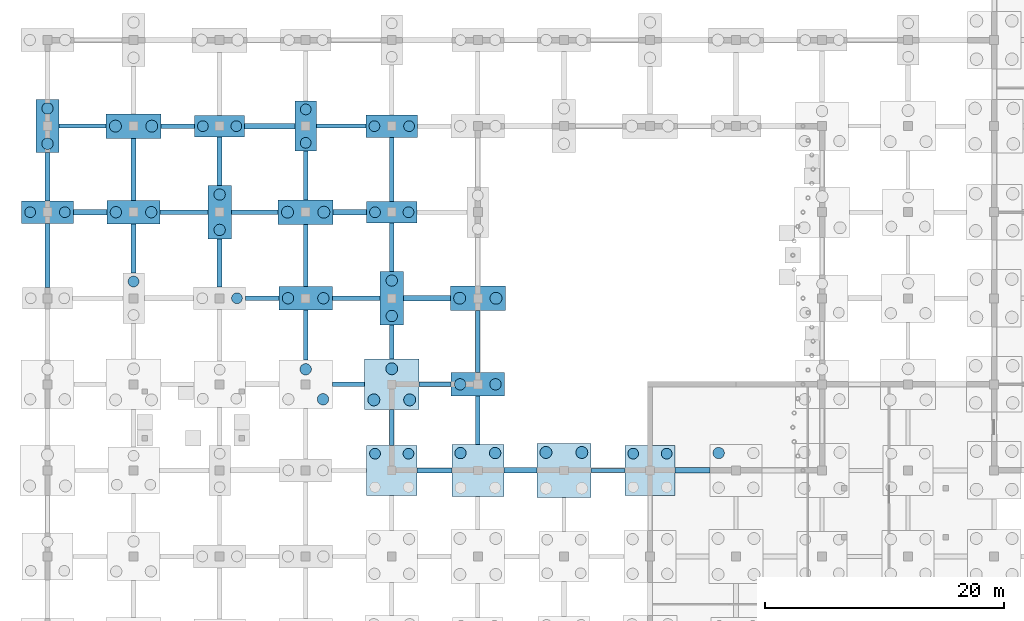
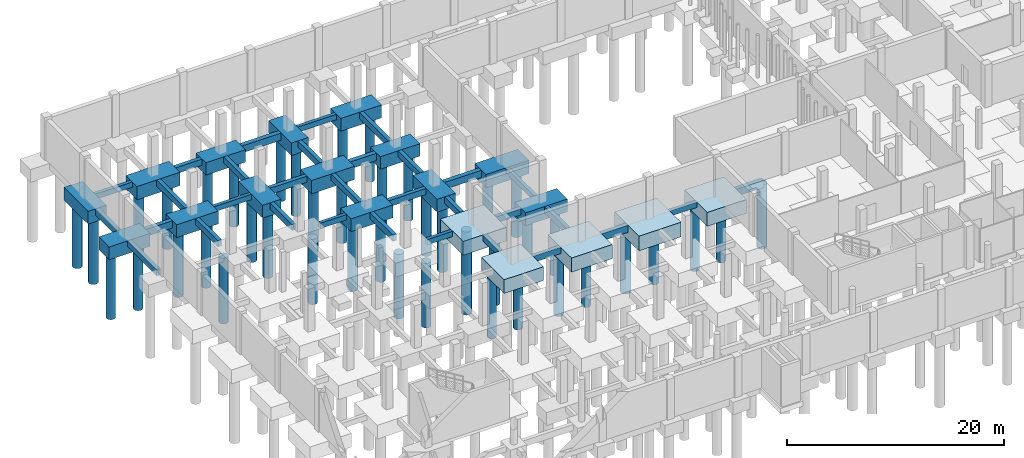
# One storey, part 4 of 35: 51 footings, 44 piles.
"""IFC4 building model written with IfcOpenShell, lengths in metres."""

from ifc_helpers import new_model, si_unit, direction, frame, origin, origin_2d, place, context, subcontext, project, spatial, rectangle, circle, extrude, material, material_profile, profile_set, type_object, element, save


model = new_model("IFC4")

# Units and contexts
model_context = context("Model", 3, precision=1e-05, world=origin(), true_north=direction((0.0, 1.0)))
body_context = subcontext(model_context, "Body", "Model", "MODEL_VIEW")
ifc_project = project(units=[si_unit("LENGTHUNIT", "METRE"), si_unit("AREAUNIT", "SQUARE_METRE"), si_unit("VOLUMEUNIT", "CUBIC_METRE"), si_unit("PLANEANGLEUNIT", "RADIAN"), si_unit("MASSUNIT", "GRAM", prefix="KILO"), si_unit("THERMODYNAMICTEMPERATUREUNIT", "KELVIN"), si_unit("POWERUNIT", "WATT")], contexts=[model_context])

# Site, building, storey
site_placement = place(None, origin())
site = spatial("IfcSite", under=ifc_project, at=site_placement, CompositionType="ELEMENT")
building_placement = place(site_placement, origin())
building = spatial("IfcBuilding", under=site, at=building_placement, Name="Kaldorven Railside Theatre", CompositionType="ELEMENT")
storey_placement = place(building_placement, frame((0.0, 0.0, -4.800048828125)))
storey = spatial("IfcBuildingStorey", under=building, at=storey_placement, Name="B1", CompositionType="ELEMENT", Elevation=-4.800048828125)

# Footings
ifc_material_1 = material(Name="Concrete C40/50", Category="concrete")
ifc_material_profile_1 = material_profile(ifc_material_1, rectangle(XDim=0.449951171875, YDim=0.800048828125, at=origin_2d()), Name="RC 450x800")
ifc_profile_set_1 = profile_set([ifc_material_profile_1], Name="Concrete C40/50")
footing_type_1 = type_object("IfcFootingType", Name="FTG-GB01", PredefinedType="FOOTING_BEAM", material=ifc_profile_set_1)
footing_1_placement = place(storey_placement, frame((46.175048828125, 40.800048828125, -0.39990234375), z_axis=(1.0, 0.0, 0.0), x_axis=(0.0, 1.0, 0.0)))
element("IfcFooting", 1, at=footing_1_placement, inside=storey, type_object=footing_type_1, Name="Foundation Tie Beam GB-159", PredefinedType="FOOTING_BEAM", context=body_context, shape_type="SweptSolid", body=[
    extrude(rectangle(XDim=0.449951171875, YDim=0.800048828125, at=origin_2d()), origin(), (0.0, 0.0, 1.0), 2.77490234375),
])
footing_2_placement = place(storey_placement, frame((60.5, 40.800048828125, -0.39990234375), z_axis=(1.0, 0.0, 0.0), x_axis=(0.0, 1.0, 0.0)))
element("IfcFooting", 2, at=footing_2_placement, inside=storey, type_object=footing_type_1, Name="Foundation Tie Beam GB-162", PredefinedType="FOOTING_BEAM", context=body_context, shape_type="SweptSolid", body=[
    extrude(rectangle(XDim=0.449951171875, YDim=0.800048828125, at=origin_2d()), origin(), (0.0, 0.0, 1.0), 2.925048828125),
])
footing_3_placement = place(storey_placement, frame((37.77490234375, 55.199951171875, -0.39990234375), z_axis=(1.0, 0.0, 0.0), x_axis=(0.0, 1.0, 0.0)))
element("IfcFooting", 3, at=footing_3_placement, inside=storey, type_object=footing_type_1, Name="Foundation Tie Beam GB-213", PredefinedType="FOOTING_BEAM", context=body_context, shape_type="SweptSolid", body=[
    extrude(rectangle(XDim=0.449951171875, YDim=0.800048828125, at=origin_2d()), origin(), (0.0, 0.0, 1.0), 3.925048828125),
])
for number, where, z_axis, x_axis, name in (
    (4, (10.175048828125, 62.39990234375, -0.39990234375), (1.0, 0.0, 0.0), (0.0, 1.0, 0.0), "Foundation Tie Beam GB-231"),
    (5, (31.89990234375, 62.39990234375, -0.39990234375), (1.0, 0.0, 0.0), (0.0, 1.0, 0.0), "Foundation Tie Beam GB-237"),
):
    element("IfcFooting", number, at=place(storey_placement, frame(where, z_axis=z_axis, x_axis=x_axis)), inside=storey, type_object=footing_type_1, Name=name, PredefinedType="FOOTING_BEAM", context=body_context, shape_type="SweptSolid", body=[
        extrude(rectangle(XDim=0.449951171875, YDim=0.800048828125, at=origin_2d()), origin(), (0.0, 0.0, 1.0), 2.800048828125),
    ])
footing_4_placement = place(storey_placement, frame((24.5, 69.60009765625, -0.39990234375), z_axis=(1.0, 0.0, 0.0), x_axis=(0.0, 1.0, 0.0)))
element("IfcFooting", 6, at=footing_4_placement, inside=storey, type_object=footing_type_1, Name="Foundation Tie Beam GB-261", PredefinedType="FOOTING_BEAM", context=body_context, shape_type="SweptSolid", body=[
    extrude(rectangle(XDim=0.449951171875, YDim=0.800048828125, at=origin_2d()), origin(), (0.0, 0.0, 1.0), 4.199951171875),
])
ifc_material_profile_2 = material_profile(ifc_material_1, rectangle(XDim=0.39990234375, YDim=0.699951171875, at=origin_2d()), Name="RC 400x700")
ifc_profile_set_2 = profile_set([ifc_material_profile_2], Name="Concrete C40/50")
footing_type_2 = type_object("IfcFootingType", Name="FTG-GB02", PredefinedType="FOOTING_BEAM", material=ifc_profile_set_2)
footing_5_placement = place(storey_placement, frame((38.89990234375, 40.800048828125, -0.349853515625), z_axis=(1.0, 0.0, 0.0), x_axis=(0.0, 1.0, 0.0)))
element("IfcFooting", 7, at=footing_5_placement, inside=storey, type_object=footing_type_2, Name="Foundation Tie Beam GB-157", PredefinedType="FOOTING_BEAM", context=body_context, shape_type="SweptSolid", body=[
    extrude(rectangle(XDim=0.39990234375, YDim=0.699951171875, at=origin_2d()), origin(), (0.0, 0.0, 1.0), 2.925048828125),
])
footing_6_placement = place(storey_placement, frame((36.800048828125, 42.89990234375, -0.349853515625), z_axis=(0.0, 1.0, 0.0), x_axis=(-1.0, 0.0, 0.0)))
element("IfcFooting", 8, at=footing_6_placement, inside=storey, type_object=footing_type_2, Name="Foundation Tie Beam GB-158", PredefinedType="FOOTING_BEAM", context=body_context, shape_type="SweptSolid", body=[
    extrude(rectangle(XDim=0.39990234375, YDim=0.699951171875, at=origin_2d()), origin(), (0.0, 0.0, 1.0), 3.0),
])
footing_7_placement = place(storey_placement, frame((44.0, 42.97509765625, -0.349853515625), z_axis=(0.0, 1.0, 0.0), x_axis=(-1.0, 0.0, 0.0)))
element("IfcFooting", 9, at=footing_7_placement, inside=storey, type_object=footing_type_2, Name="Foundation Tie Beam GB-160", PredefinedType="FOOTING_BEAM", context=body_context, shape_type="SweptSolid", body=[
    extrude(rectangle(XDim=0.39990234375, YDim=0.699951171875, at=origin_2d()), origin(), (0.0, 0.0, 1.0), 4.0498046875),
])
footing_8_placement = place(storey_placement, frame((29.60009765625, 50.02490234375, -0.349853515625), z_axis=(0.0, 1.0, 0.0), x_axis=(-1.0, 0.0, 0.0)))
element("IfcFooting", 10, at=footing_8_placement, inside=storey, type_object=footing_type_2, Name="Foundation Tie Beam GB-186", PredefinedType="FOOTING_BEAM", context=body_context, shape_type="SweptSolid", body=[
    extrude(rectangle(XDim=0.39990234375, YDim=0.699951171875, at=origin_2d()), origin(), (0.0, 0.0, 1.0), 4.2001953125),
])
footing_9_placement = place(storey_placement, frame((39.10009765625, 48.0, -0.349853515625), z_axis=(1.0, 0.0, 0.0), x_axis=(0.0, 1.0, 0.0)))
element("IfcFooting", 11, at=footing_9_placement, inside=storey, type_object=footing_type_2, Name="Foundation Tie Beam GB-187", PredefinedType="FOOTING_BEAM", context=body_context, shape_type="SweptSolid", body=[
    extrude(rectangle(XDim=0.39990234375, YDim=0.699951171875, at=origin_2d()), origin(), (0.0, 0.0, 1.0), 2.6748046875),
])
footing_10_placement = place(storey_placement, frame((36.800048828125, 50.10009765625, -0.349853515625), z_axis=(0.0, 1.0, 0.0), x_axis=(-1.0, 0.0, 0.0)))
element("IfcFooting", 12, at=footing_10_placement, inside=storey, type_object=footing_type_2, Name="Foundation Tie Beam GB-188", PredefinedType="FOOTING_BEAM", context=body_context, shape_type="SweptSolid", body=[
    extrude(rectangle(XDim=0.39990234375, YDim=0.699951171875, at=origin_2d()), origin(), (0.0, 0.0, 1.0), 2.875),
])
footing_11_placement = place(storey_placement, frame((8.0, 56.10009765625, -0.349853515625), z_axis=(0.0, 1.0, 0.0), x_axis=(-1.0, 0.0, 0.0)))
element("IfcFooting", 13, at=footing_11_placement, inside=storey, type_object=footing_type_2, Name="Foundation Tie Beam GB-206", PredefinedType="FOOTING_BEAM", context=body_context, shape_type="SweptSolid", body=[
    extrude(rectangle(XDim=0.39990234375, YDim=0.699951171875, at=origin_2d()), origin(), (0.0, 0.0, 1.0), 5.349853515625),
])
footing_12_placement = place(storey_placement, frame((15.199951171875, 57.300048828125, -0.349853515625), z_axis=(0.0, 1.0, 0.0), x_axis=(-1.0, 0.0, 0.0)))
element("IfcFooting", 14, at=footing_12_placement, inside=storey, type_object=footing_type_2, Name="Foundation Tie Beam GB-208", PredefinedType="FOOTING_BEAM", context=body_context, shape_type="SweptSolid", body=[
    extrude(rectangle(XDim=0.39990234375, YDim=0.699951171875, at=origin_2d()), origin(), (0.0, 0.0, 1.0), 4.125),
])
footing_13_placement = place(storey_placement, frame((22.39990234375, 56.14990234375, -0.349853515625), z_axis=(0.0, 1.0, 0.0), x_axis=(-1.0, 0.0, 0.0)))
element("IfcFooting", 15, at=footing_13_placement, inside=storey, type_object=footing_type_2, Name="Foundation Tie Beam GB-210", PredefinedType="FOOTING_BEAM", context=body_context, shape_type="SweptSolid", body=[
    extrude(rectangle(XDim=0.39990234375, YDim=0.699951171875, at=origin_2d()), origin(), (0.0, 0.0, 1.0), 4.025146484375),
])
footing_14_placement = place(storey_placement, frame((31.824951171875, 55.199951171875, -0.349853515625), z_axis=(1.0, 0.0, 0.0), x_axis=(0.0, 1.0, 0.0)))
element("IfcFooting", 16, at=footing_14_placement, inside=storey, type_object=footing_type_2, Name="Foundation Tie Beam GB-211", PredefinedType="FOOTING_BEAM", context=body_context, shape_type="SweptSolid", body=[
    extrude(rectangle(XDim=0.39990234375, YDim=0.699951171875, at=origin_2d()), origin(), (0.0, 0.0, 1.0), 4.0),
])
footing_15_placement = place(storey_placement, frame((29.60009765625, 56.175048828125, -0.349853515625), z_axis=(0.0, 1.0, 0.0), x_axis=(-1.0, 0.0, 0.0)))
element("IfcFooting", 17, at=footing_15_placement, inside=storey, type_object=footing_type_2, Name="Foundation Tie Beam GB-212", PredefinedType="FOOTING_BEAM", context=body_context, shape_type="SweptSolid", body=[
    extrude(rectangle(XDim=0.39990234375, YDim=0.699951171875, at=origin_2d()), origin(), (0.0, 0.0, 1.0), 5.199951171875),
])
footing_16_placement = place(storey_placement, frame((36.800048828125, 57.425048828125, -0.349853515625), z_axis=(0.0, 1.0, 0.0), x_axis=(-1.0, 0.0, 0.0)))
element("IfcFooting", 18, at=footing_16_placement, inside=storey, type_object=footing_type_2, Name="Foundation Tie Beam GB-214", PredefinedType="FOOTING_BEAM", context=body_context, shape_type="SweptSolid", body=[
    extrude(rectangle(XDim=0.39990234375, YDim=0.699951171875, at=origin_2d()), origin(), (0.0, 0.0, 1.0), 4.074951171875),
])
footing_17_placement = place(storey_placement, frame((8.0, 63.35009765625, -0.349853515625), z_axis=(0.0, 1.0, 0.0), x_axis=(-1.0, 0.0, 0.0)))
element("IfcFooting", 19, at=footing_17_placement, inside=storey, type_object=footing_type_2, Name="Foundation Tie Beam GB-232", PredefinedType="FOOTING_BEAM", context=body_context, shape_type="SweptSolid", body=[
    extrude(rectangle(XDim=0.39990234375, YDim=0.699951171875, at=origin_2d()), origin(), (0.0, 0.0, 1.0), 4.02490234375),
])
footing_18_placement = place(storey_placement, frame((15.199951171875, 63.375, -0.349853515625), z_axis=(0.0, 1.0, 0.0), x_axis=(-1.0, 0.0, 0.0)))
element("IfcFooting", 20, at=footing_18_placement, inside=storey, type_object=footing_type_2, Name="Foundation Tie Beam GB-234", PredefinedType="FOOTING_BEAM", context=body_context, shape_type="SweptSolid", body=[
    extrude(rectangle(XDim=0.39990234375, YDim=0.699951171875, at=origin_2d()), origin(), (0.0, 0.0, 1.0), 5.199951171875),
])
footing_19_placement = place(storey_placement, frame((23.375, 62.39990234375, -0.349853515625), z_axis=(1.0, 0.0, 0.0), x_axis=(0.0, 1.0, 0.0)))
element("IfcFooting", 21, at=footing_19_placement, inside=storey, type_object=footing_type_2, Name="Foundation Tie Beam GB-235", PredefinedType="FOOTING_BEAM", context=body_context, shape_type="SweptSolid", body=[
    extrude(rectangle(XDim=0.39990234375, YDim=0.699951171875, at=origin_2d()), origin(), (0.0, 0.0, 1.0), 3.925048828125),
])
for number, where, z_axis, x_axis, name in (
    (22, (22.39990234375, 64.625, -0.349853515625), (0.0, 1.0, 0.0), (-1.0, 0.0, 0.0), "Foundation Tie Beam GB-236"),
    (23, (29.60009765625, 63.425048828125, -0.349853515625), (0.0, 1.0, 0.0), (-1.0, 0.0, 0.0), "Foundation Tie Beam GB-238"),
):
    element("IfcFooting", number, at=place(storey_placement, frame(where, z_axis=z_axis, x_axis=x_axis)), inside=storey, type_object=footing_type_2, Name=name, PredefinedType="FOOTING_BEAM", context=body_context, shape_type="SweptSolid", body=[
        extrude(rectangle(XDim=0.39990234375, YDim=0.699951171875, at=origin_2d()), origin(), (0.0, 0.0, 1.0), 4.074951171875),
    ])
footing_20_placement = place(storey_placement, frame((36.800048828125, 63.300048828125, -0.349853515625), z_axis=(0.0, 1.0, 0.0), x_axis=(-1.0, 0.0, 0.0)))
element("IfcFooting", 24, at=footing_20_placement, inside=storey, type_object=footing_type_2, Name="Foundation Tie Beam GB-240", PredefinedType="FOOTING_BEAM", context=body_context, shape_type="SweptSolid", body=[
    extrude(rectangle(XDim=0.39990234375, YDim=0.699951171875, at=origin_2d()), origin(), (0.0, 0.0, 1.0), 5.349853515625),
])
footing_21_placement = place(storey_placement, frame((17.5, 69.60009765625, -0.349853515625), z_axis=(1.0, 0.0, 0.0), x_axis=(0.0, 1.0, 0.0)))
element("IfcFooting", 25, at=footing_21_placement, inside=storey, type_object=footing_type_2, Name="Foundation Tie Beam GB-259", PredefinedType="FOOTING_BEAM", context=body_context, shape_type="SweptSolid", body=[
    extrude(rectangle(XDim=0.39990234375, YDim=0.699951171875, at=origin_2d()), origin(), (0.0, 0.0, 1.0), 2.800048828125),
])
ifc_material_profile_3 = material_profile(ifc_material_1, rectangle(XDim=0.35009765625, YDim=0.60009765625, at=origin_2d()), Name="RC 350x600")
ifc_profile_set_3 = profile_set([ifc_material_profile_3], Name="Concrete C40/50")
footing_type_3 = type_object("IfcFootingType", Name="FTG-GB03", PredefinedType="FOOTING_BEAM", material=ifc_profile_set_3)
footing_22_placement = place(storey_placement, frame((53.449951171875, 40.800048828125, -0.300048828125), z_axis=(1.0, 0.0, 0.0), x_axis=(0.0, 1.0, 0.0)))
element("IfcFooting", 26, at=footing_22_placement, inside=storey, type_object=footing_type_3, Name="Foundation Tie Beam GB-161", PredefinedType="FOOTING_BEAM", context=body_context, shape_type="SweptSolid", body=[
    extrude(rectangle(XDim=0.35009765625, YDim=0.60009765625, at=origin_2d()), origin(), (0.0, 0.0, 1.0), 2.85009765625),
])
footing_23_placement = place(storey_placement, frame((31.824951171875, 48.0, -0.300048828125), z_axis=(1.0, 0.0, 0.0), x_axis=(0.0, 1.0, 0.0)))
element("IfcFooting", 27, at=footing_23_placement, inside=storey, type_object=footing_type_3, Name="Foundation Tie Beam GB-185", PredefinedType="FOOTING_BEAM", context=body_context, shape_type="SweptSolid", body=[
    extrude(rectangle(XDim=0.35009765625, YDim=0.60009765625, at=origin_2d()), origin(), (0.0, 0.0, 1.0), 2.675048828125),
])
footing_24_placement = place(storey_placement, frame((44.0, 48.97509765625, -0.300048828125), z_axis=(0.0, 1.0, 0.0), x_axis=(-1.0, 0.0, 0.0)))
element("IfcFooting", 28, at=footing_24_placement, inside=storey, type_object=footing_type_3, Name="Foundation Tie Beam GB-189", PredefinedType="FOOTING_BEAM", context=body_context, shape_type="SweptSolid", body=[
    extrude(rectangle(XDim=0.35009765625, YDim=0.60009765625, at=origin_2d()), origin(), (0.0, 0.0, 1.0), 5.199951171875),
])
footing_25_placement = place(storey_placement, frame((24.574951171875, 55.199951171875, -0.300048828125), z_axis=(1.0, 0.0, 0.0), x_axis=(0.0, 1.0, 0.0)))
element("IfcFooting", 29, at=footing_25_placement, inside=storey, type_object=footing_type_3, Name="Foundation Tie Beam GB-209", PredefinedType="FOOTING_BEAM", context=body_context, shape_type="SweptSolid", body=[
    extrude(rectangle(XDim=0.35009765625, YDim=0.60009765625, at=origin_2d()), origin(), (0.0, 0.0, 1.0), 2.800048828125),
])
footing_26_placement = place(storey_placement, frame((17.425048828125, 62.39990234375, -0.300048828125), z_axis=(1.0, 0.0, 0.0), x_axis=(0.0, 1.0, 0.0)))
element("IfcFooting", 30, at=footing_26_placement, inside=storey, type_object=footing_type_3, Name="Foundation Tie Beam GB-233", PredefinedType="FOOTING_BEAM", context=body_context, shape_type="SweptSolid", body=[
    extrude(rectangle(XDim=0.35009765625, YDim=0.60009765625, at=origin_2d()), origin(), (0.0, 0.0, 1.0), 4.0),
])
footing_27_placement = place(storey_placement, frame((8.97509765625, 69.60009765625, -0.300048828125), z_axis=(1.0, 0.0, 0.0), x_axis=(0.0, 1.0, 0.0)))
element("IfcFooting", 31, at=footing_27_placement, inside=storey, type_object=footing_type_3, Name="Foundation Tie Beam GB-257", PredefinedType="FOOTING_BEAM", context=body_context, shape_type="SweptSolid", body=[
    extrude(rectangle(XDim=0.35009765625, YDim=0.60009765625, at=origin_2d()), origin(), (0.0, 0.0, 1.0), 3.9248046875),
])
footing_28_placement = place(storey_placement, frame((30.5, 69.60009765625, -0.300048828125), z_axis=(1.0, 0.0, 0.0), x_axis=(0.0, 1.0, 0.0)))
element("IfcFooting", 32, at=footing_28_placement, inside=storey, type_object=footing_type_3, Name="Foundation Tie Beam GB-263", PredefinedType="FOOTING_BEAM", context=body_context, shape_type="SweptSolid", body=[
    extrude(rectangle(XDim=0.35009765625, YDim=0.60009765625, at=origin_2d()), origin(), (0.0, 0.0, 1.0), 4.125),
])
footing_type_4 = type_object("IfcFootingType", Name="FTG-PC03", PredefinedType="PILE_CAP", material=ifc_material_1)
for number, where, z_axis, x_axis, name in (
    (33, (36.800048828125, 62.39990234375, -1.39990234375), (0.0, 0.0, 1.0), (1.0, 0.0, 0.0), "Reinforced Concrete Pile Cap FC-132"),
    (34, (22.39990234375, 69.60009765625, -1.39990234375), (0.0, 0.0, 1.0), (1.0, 0.0, 0.0), "Reinforced Concrete Pile Cap FC-144"),
):
    element("IfcFooting", number, at=place(storey_placement, frame(where, z_axis=z_axis, x_axis=x_axis)), inside=storey, type_object=footing_type_4, Name=name, PredefinedType="PILE_CAP", context=body_context, shape_type="SweptSolid", body=[
        extrude(rectangle(XDim=4.199951171875, YDim=1.800048828125, at=origin_2d()), origin(), (0.0, 0.0, 1.0), 1.39990234375),
    ])
footing_type_5 = type_object("IfcFootingType", Name="FTG-PC04", PredefinedType="PILE_CAP", material=ifc_material_1)
footing_29_placement = place(storey_placement, frame((29.60009765625, 69.60009765625, -1.39990234375), z_axis=(0.0, 0.0, 1.0), x_axis=(1.0, 0.0, 0.0)))
element("IfcFooting", 35, at=footing_29_placement, inside=storey, type_object=footing_type_5, Name="Reinforced Concrete Pile Cap FC-145", PredefinedType="PILE_CAP", context=body_context, shape_type="SweptSolid", body=[
    extrude(rectangle(XDim=1.800048828125, YDim=4.199951171875, at=origin_2d()), origin(), (0.0, 0.0, 1.0), 1.39990234375),
])
footing_type_6 = type_object("IfcFootingType", Name="FTG-PC05", PredefinedType="PILE_CAP", material=ifc_material_1)
for number, where, z_axis, x_axis, name in (
    (36, (8.0, 62.39990234375, -1.44970703125), (0.0, 0.0, 1.0), (1.0, 0.0, 0.0), "Reinforced Concrete Pile Cap FC-128"),
    (37, (36.800048828125, 69.60009765625, -1.44970703125), (0.0, 0.0, 1.0), (1.0, 0.0, 0.0), "Reinforced Concrete Pile Cap FC-146"),
):
    element("IfcFooting", number, at=place(storey_placement, frame(where, z_axis=z_axis, x_axis=x_axis)), inside=storey, type_object=footing_type_6, Name=name, PredefinedType="PILE_CAP", context=body_context, shape_type="SweptSolid", body=[
        extrude(rectangle(XDim=4.35009765625, YDim=1.89990234375, at=origin_2d()), origin(), (0.0, 0.0, 1.0), 1.449951171875),
    ])
footing_type_7 = type_object("IfcFootingType", Name="FTG-PC06", PredefinedType="PILE_CAP", material=ifc_material_1)
for number, where, z_axis, x_axis, name in (
    (38, (44.0, 48.0, -1.44970703125), (0.0, 0.0, 1.0), (1.0, 0.0, 0.0), "Reinforced Concrete Pile Cap FC-105"),
    (39, (29.60009765625, 55.199951171875, -1.44970703125), (0.0, 0.0, 1.0), (1.0, 0.0, 0.0), "Reinforced Concrete Pile Cap FC-117"),
    (40, (15.199951171875, 62.39990234375, -1.44970703125), (0.0, 0.0, 1.0), (1.0, 0.0, 0.0), "Reinforced Concrete Pile Cap FC-129"),
):
    element("IfcFooting", number, at=place(storey_placement, frame(where, z_axis=z_axis, x_axis=x_axis)), inside=storey, type_object=footing_type_7, Name=name, PredefinedType="PILE_CAP", context=body_context, shape_type="SweptSolid", body=[
        extrude(rectangle(XDim=4.449951171875, YDim=1.949951171875, at=origin_2d()), origin(), (0.0, 0.0, 1.0), 1.449951171875),
    ])
footing_type_8 = type_object("IfcFootingType", Name="FTG-PC07", PredefinedType="PILE_CAP", material=ifc_material_1)
for number, where, z_axis, x_axis, name in (
    (41, (36.800048828125, 55.199951171875, -1.44970703125), (0.0, 0.0, 1.0), (1.0, 0.0, 0.0), "Reinforced Concrete Pile Cap FC-118"),
    (42, (22.39990234375, 62.39990234375, -1.44970703125), (0.0, 0.0, 1.0), (1.0, 0.0, 0.0), "Reinforced Concrete Pile Cap FC-130"),
    (43, (8.0, 69.60009765625, -1.44970703125), (0.0, 0.0, 1.0), (1.0, 0.0, 0.0), "Reinforced Concrete Pile Cap FC-142"),
):
    element("IfcFooting", number, at=place(storey_placement, frame(where, z_axis=z_axis, x_axis=x_axis)), inside=storey, type_object=footing_type_8, Name=name, PredefinedType="PILE_CAP", context=body_context, shape_type="SweptSolid", body=[
        extrude(rectangle(XDim=1.949951171875, YDim=4.449951171875, at=origin_2d()), origin(), (0.0, 0.0, 1.0), 1.449951171875),
    ])
footing_type_9 = type_object("IfcFootingType", Name="FTG-PC08", PredefinedType="PILE_CAP", material=ifc_material_1)
for number, where, z_axis, x_axis, name in (
    (44, (44.0, 55.199951171875, -1.5), (0.0, 0.0, 1.0), (1.0, 0.0, 0.0), "Reinforced Concrete Pile Cap FC-119"),
    (45, (29.60009765625, 62.39990234375, -1.5), (0.0, 0.0, 1.0), (1.0, 0.0, 0.0), "Reinforced Concrete Pile Cap FC-131"),
    (46, (15.199951171875, 69.60009765625, -1.5), (0.0, 0.0, 1.0), (1.0, 0.0, 0.0), "Reinforced Concrete Pile Cap FC-143"),
):
    element("IfcFooting", number, at=place(storey_placement, frame(where, z_axis=z_axis, x_axis=x_axis)), inside=storey, type_object=footing_type_9, Name=name, PredefinedType="PILE_CAP", context=body_context, shape_type="SweptSolid", body=[
        extrude(rectangle(XDim=4.60009765625, YDim=2.050048828125, at=origin_2d()), origin(), (0.0, 0.0, 1.0), 1.5),
    ])
footing_type_10 = type_object("IfcFootingType", Name="FTG-PC11", PredefinedType="PILE_CAP", material=ifc_material_1)
footing_30_placement = place(storey_placement, frame((36.800048828125, 48.0, -1.5498046875), z_axis=(0.0, 0.0, 1.0), x_axis=(1.0, 0.0, 0.0)))
element("IfcFooting", 47, at=footing_30_placement, inside=storey, type_object=footing_type_10, Name="Reinforced Concrete Pile Cap FC-104", PredefinedType="PILE_CAP", context=body_context, shape_type="SweptSolid", body=[
    extrude(rectangle(XDim=4.60009765625, YDim=4.199951171875, at=origin_2d()), origin(), (0.0, 0.0, 1.0), 1.550048828125),
])
footing_type_11 = type_object("IfcFootingType", Name="FTG-PC12", PredefinedType="PILE_CAP", material=ifc_material_1)
for number, where, z_axis, x_axis, name in (
    (48, (36.800048828125, 40.800048828125, -1.5498046875), (0.0, 0.0, 1.0), (1.0, 0.0, 0.0), "Reinforced Concrete Pile Cap FC-087"),
    (49, (58.39990234375, 40.800048828125, -1.5498046875), (0.0, 0.0, 1.0), (1.0, 0.0, 0.0), "Reinforced Concrete Pile Cap FC-090"),
):
    element("IfcFooting", number, at=place(storey_placement, frame(where, z_axis=z_axis, x_axis=x_axis)), inside=storey, type_object=footing_type_11, Name=name, PredefinedType="PILE_CAP", context=body_context, shape_type="SweptSolid", body=[
        extrude(rectangle(XDim=4.199951171875, YDim=4.199951171875, at=origin_2d()), origin(), (0.0, 0.0, 1.0), 1.550048828125),
    ])
footing_type_12 = type_object("IfcFootingType", Name="FTG-PC13", PredefinedType="PILE_CAP", material=ifc_material_1)
footing_31_placement = place(storey_placement, frame((44.0, 40.800048828125, -1.60009765625), z_axis=(0.0, 0.0, 1.0), x_axis=(1.0, 0.0, 0.0)))
element("IfcFooting", 50, at=footing_31_placement, inside=storey, type_object=footing_type_12, Name="Reinforced Concrete Pile Cap FC-088", PredefinedType="PILE_CAP", context=body_context, shape_type="SweptSolid", body=[
    extrude(rectangle(XDim=4.35009765625, YDim=4.35009765625, at=origin_2d()), origin(), (0.0, 0.0, 1.0), 1.60009765625),
])
footing_type_13 = type_object("IfcFootingType", Name="FTG-PC14", PredefinedType="PILE_CAP", material=ifc_material_1)
footing_32_placement = place(storey_placement, frame((51.199951171875, 40.800048828125, -1.64990234375), z_axis=(0.0, 0.0, 1.0), x_axis=(1.0, 0.0, 0.0)))
element("IfcFooting", 51, at=footing_32_placement, inside=storey, type_object=footing_type_13, Name="Reinforced Concrete Pile Cap FC-089", PredefinedType="PILE_CAP", context=body_context, shape_type="SweptSolid", body=[
    extrude(rectangle(XDim=4.5, YDim=4.5, at=origin_2d()), origin(), (0.0, 0.0, 1.0), 1.64990234375),
])

# Piles
ifc_material_2 = material(Name="Concrete C35/45", Category="concrete")
ifc_material_profile_4 = material_profile(ifc_material_2, circle(Radius=0.5, at=origin_2d()), Name="BP D1000")
ifc_profile_set_4 = profile_set([ifc_material_profile_4], Name="Concrete C35/45")
pile_type_1 = type_object("IfcPileType", Name="PIL-D1000", PredefinedType="BORED", material=ifc_profile_set_4)
for number, where, z_axis, x_axis, name in (
    (52, (49.699951171875, 42.300048828125, -1.550048828125), (0.0, 0.0, -1.0), (1.0, 0.0, 0.0), "Bored Bedrock Socket Pile BP-051-040-3"),
    (53, (52.699951171875, 42.300048828125, -1.550048828125), (0.0, 0.0, -1.0), (1.0, 0.0, 0.0), "Bored Bedrock Socket Pile BP-051-040-4"),
):
    element("IfcPile", number, at=place(storey_placement, frame(where, z_axis=z_axis, x_axis=x_axis)), inside=storey, type_object=pile_type_1, Name=name, PredefinedType="BORED", context=body_context, shape_type="SweptSolid", body=[
        extrude(circle(Radius=0.5, at=origin_2d()), origin(), (0.0, 0.0, 1.0), 7.14990234375),
    ])
for number, where, z_axis, x_axis, name in (
    (54, (35.300048828125, 46.699951171875, -1.449951171875), (0.0, 0.0, -1.0), (1.0, 0.0, 0.0), "Bored Bedrock Socket Pile BP-036-048-1"),
    (55, (38.300048828125, 46.699951171875, -1.449951171875), (0.0, 0.0, -1.0), (1.0, 0.0, 0.0), "Bored Bedrock Socket Pile BP-036-048-2"),
    (56, (36.800048828125, 49.300048828125, -1.449951171875), (0.0, 0.0, -1.0), (1.0, 0.0, 0.0), "Bored Bedrock Socket Pile BP-036-048-3"),
):
    element("IfcPile", number, at=place(storey_placement, frame(where, z_axis=z_axis, x_axis=x_axis)), inside=storey, type_object=pile_type_1, Name=name, PredefinedType="BORED", context=body_context, shape_type="SweptSolid", body=[
        extrude(circle(Radius=0.5, at=origin_2d()), origin(), (0.0, 0.0, 1.0), 7.25),
    ])
for number, where, z_axis, x_axis, name in (
    (57, (42.47998046875, 55.199951171875, -1.39990234375), (0.0, 0.0, -1.0), (1.0, 0.0, 0.0), "Bored Bedrock Socket Pile BP-044-055-1"),
    (58, (45.52001953125, 55.199951171875, -1.39990234375), (0.0, 0.0, -1.0), (1.0, 0.0, 0.0), "Bored Bedrock Socket Pile BP-044-055-2"),
    (59, (28.080078125, 62.39990234375, -1.39990234375), (0.0, 0.0, -1.0), (1.0, 0.0, 0.0), "Bored Bedrock Socket Pile BP-029-062-1"),
    (60, (31.1201171875, 62.39990234375, -1.39990234375), (0.0, 0.0, -1.0), (1.0, 0.0, 0.0), "Bored Bedrock Socket Pile BP-029-062-2"),
    (61, (13.679931640625, 69.60009765625, -1.39990234375), (0.0, 0.0, -1.0), (1.0, 0.0, 0.0), "Bored Bedrock Socket Pile BP-015-069-1"),
    (62, (16.719970703125, 69.60009765625, -1.39990234375), (0.0, 0.0, -1.0), (1.0, 0.0, 0.0), "Bored Bedrock Socket Pile BP-015-069-2"),
):
    element("IfcPile", number, at=place(storey_placement, frame(where, z_axis=z_axis, x_axis=x_axis)), inside=storey, type_object=pile_type_1, Name=name, PredefinedType="BORED", context=body_context, shape_type="SweptSolid", body=[
        extrude(circle(Radius=0.5, at=origin_2d()), origin(), (0.0, 0.0, 1.0), 7.300048828125),
    ])
ifc_material_profile_5 = material_profile(ifc_material_2, circle(Radius=0.449951171875, at=origin_2d()), Name="BP D900")
ifc_profile_set_5 = profile_set([ifc_material_profile_5], Name="Concrete C35/45")
pile_type_2 = type_object("IfcPileType", Name="PIL-D900", PredefinedType="BORED", material=ifc_profile_set_5)
for number, where, z_axis, x_axis, name in (
    (63, (35.39990234375, 42.199951171875, -1.449951171875), (0.0, 0.0, -1.0), (1.0, 0.0, 0.0), "Bored Bedrock Socket Pile BP-036-040-3"),
    (64, (38.199951171875, 42.199951171875, -1.449951171875), (0.0, 0.0, -1.0), (1.0, 0.0, 0.0), "Bored Bedrock Socket Pile BP-036-040-4"),
    (65, (57.0, 42.199951171875, -1.449951171875), (0.0, 0.0, -1.0), (1.0, 0.0, 0.0), "Bored Bedrock Socket Pile BP-058-040-3"),
    (66, (59.800048828125, 42.199951171875, -1.449951171875), (0.0, 0.0, -1.0), (1.0, 0.0, 0.0), "Bored Bedrock Socket Pile BP-058-040-4"),
):
    element("IfcPile", number, at=place(storey_placement, frame(where, z_axis=z_axis, x_axis=x_axis)), inside=storey, type_object=pile_type_2, Name=name, PredefinedType="BORED", context=body_context, shape_type="SweptSolid", body=[
        extrude(circle(Radius=0.449951171875, at=origin_2d()), origin(), (0.0, 0.0, 1.0), 7.25),
    ])
pile_placement = place(storey_placement, frame((15.199951171875, 56.60009765625, -1.300048828125), z_axis=(0.0, 0.0, -1.0), x_axis=(1.0, 0.0, 0.0)))
element("IfcPile", 67, at=pile_placement, inside=storey, type_object=pile_type_2, Name="Bored Bedrock Socket Pile BP-015-055-2", PredefinedType="BORED", context=body_context, shape_type="SweptSolid", body=[
    extrude(circle(Radius=0.449951171875, at=origin_2d()), origin(), (0.0, 0.0, 1.0), 7.39990234375),
])
for number, where, z_axis, x_axis, name in (
    (68, (23.85009765625, 55.199951171875, -1.349853515625), (0.0, 0.0, -1.0), (1.0, 0.0, 0.0), "Bored Bedrock Socket Pile BP-022-055-2"),
    (69, (6.550048828125, 62.39990234375, -1.349853515625), (0.0, 0.0, -1.0), (1.0, 0.0, 0.0), "Bored Bedrock Socket Pile BP-008-062-1"),
    (70, (9.449951171875, 62.39990234375, -1.349853515625), (0.0, 0.0, -1.0), (1.0, 0.0, 0.0), "Bored Bedrock Socket Pile BP-008-062-2"),
):
    element("IfcPile", number, at=place(storey_placement, frame(where, z_axis=z_axis, x_axis=x_axis)), inside=storey, type_object=pile_type_2, Name=name, PredefinedType="BORED", context=body_context, shape_type="SweptSolid", body=[
        extrude(circle(Radius=0.449951171875, at=origin_2d()), origin(), (0.0, 0.0, 1.0), 7.35009765625),
    ])
for number, where, z_axis, x_axis, name in (
    (71, (35.39990234375, 62.39990234375, -1.300048828125), (0.0, 0.0, -1.0), (1.0, 0.0, 0.0), "Bored Bedrock Socket Pile BP-036-062-1"),
    (72, (38.199951171875, 62.39990234375, -1.300048828125), (0.0, 0.0, -1.0), (1.0, 0.0, 0.0), "Bored Bedrock Socket Pile BP-036-062-2"),
    (73, (21.0, 69.60009765625, -1.300048828125), (0.0, 0.0, -1.0), (1.0, 0.0, 0.0), "Bored Bedrock Socket Pile BP-022-069-1"),
    (74, (23.800048828125, 69.60009765625, -1.300048828125), (0.0, 0.0, -1.0), (1.0, 0.0, 0.0), "Bored Bedrock Socket Pile BP-022-069-2"),
    (75, (29.60009765625, 68.199951171875, -1.300048828125), (0.0, 0.0, -1.0), (1.0, 0.0, 0.0), "Bored Bedrock Socket Pile BP-029-069-1"),
    (76, (29.60009765625, 71.0, -1.300048828125), (0.0, 0.0, -1.0), (1.0, 0.0, 0.0), "Bored Bedrock Socket Pile BP-029-069-2"),
):
    element("IfcPile", number, at=place(storey_placement, frame(where, z_axis=z_axis, x_axis=x_axis)), inside=storey, type_object=pile_type_2, Name=name, PredefinedType="BORED", context=body_context, shape_type="SweptSolid", body=[
        extrude(circle(Radius=0.449951171875, at=origin_2d()), origin(), (0.0, 0.0, 1.0), 7.39990234375),
    ])
for number, where, z_axis, x_axis, name in (
    (77, (35.35009765625, 69.60009765625, -1.349853515625), (0.0, 0.0, -1.0), (1.0, 0.0, 0.0), "Bored Bedrock Socket Pile BP-036-069-1"),
    (78, (38.25, 69.60009765625, -1.349853515625), (0.0, 0.0, -1.0), (1.0, 0.0, 0.0), "Bored Bedrock Socket Pile BP-036-069-2"),
):
    element("IfcPile", number, at=place(storey_placement, frame(where, z_axis=z_axis, x_axis=x_axis)), inside=storey, type_object=pile_type_2, Name=name, PredefinedType="BORED", context=body_context, shape_type="SweptSolid", body=[
        extrude(circle(Radius=0.449951171875, at=origin_2d()), origin(), (0.0, 0.0, 1.0), 7.35009765625),
    ])
ifc_material_profile_6 = material_profile(ifc_material_2, circle(Radius=0.47509765625, at=origin_2d()), Name="BP D950")
ifc_profile_set_6 = profile_set([ifc_material_profile_6], Name="Concrete C35/45")
pile_type_3 = type_object("IfcPileType", Name="PIL-D950", PredefinedType="BORED", material=ifc_profile_set_6)
for number, where, z_axis, x_axis, name in (
    (79, (42.550048828125, 42.25, -1.5), (0.0, 0.0, -1.0), (1.0, 0.0, 0.0), "Bored Bedrock Socket Pile BP-044-040-3"),
    (80, (45.449951171875, 42.25, -1.5), (0.0, 0.0, -1.0), (1.0, 0.0, 0.0), "Bored Bedrock Socket Pile BP-044-040-4"),
    (81, (64.14990234375, 42.25, -1.5), (0.0, 0.0, -1.0), (1.0, 0.0, 0.0), "Bored Bedrock Socket Pile BP-065-040-3"),
):
    element("IfcPile", number, at=place(storey_placement, frame(where, z_axis=z_axis, x_axis=x_axis)), inside=storey, type_object=pile_type_3, Name=name, PredefinedType="BORED", context=body_context, shape_type="SweptSolid", body=[
        extrude(circle(Radius=0.47509765625, at=origin_2d()), origin(), (0.0, 0.0, 1.0), 7.199951171875),
    ])
for number, where, z_axis, x_axis, name in (
    (82, (31.050048828125, 46.75, -1.449951171875), (0.0, 0.0, -1.0), (1.0, 0.0, 0.0), "Bored Bedrock Socket Pile BP-029-048-2"),
    (83, (29.60009765625, 49.260009765625, -1.449951171875), (0.0, 0.0, -1.0), (1.0, 0.0, 0.0), "Bored Bedrock Socket Pile BP-029-048-3"),
):
    element("IfcPile", number, at=place(storey_placement, frame(where, z_axis=z_axis, x_axis=x_axis)), inside=storey, type_object=pile_type_3, Name=name, PredefinedType="BORED", context=body_context, shape_type="SweptSolid", body=[
        extrude(circle(Radius=0.47509765625, at=origin_2d()), origin(), (0.0, 0.0, 1.0), 7.25),
    ])
for number, where, z_axis, x_axis, name in (
    (84, (42.52001953125, 48.0, -1.349853515625), (0.0, 0.0, -1.0), (1.0, 0.0, 0.0), "Bored Bedrock Socket Pile BP-044-048-1"),
    (85, (45.47998046875, 48.0, -1.349853515625), (0.0, 0.0, -1.0), (1.0, 0.0, 0.0), "Bored Bedrock Socket Pile BP-044-048-2"),
    (86, (28.1201171875, 55.199951171875, -1.349853515625), (0.0, 0.0, -1.0), (1.0, 0.0, 0.0), "Bored Bedrock Socket Pile BP-029-055-1"),
    (87, (31.080078125, 55.199951171875, -1.349853515625), (0.0, 0.0, -1.0), (1.0, 0.0, 0.0), "Bored Bedrock Socket Pile BP-029-055-2"),
    (88, (36.800048828125, 53.719970703125, -1.349853515625), (0.0, 0.0, -1.0), (1.0, 0.0, 0.0), "Bored Bedrock Socket Pile BP-036-055-1"),
    (89, (36.800048828125, 56.679931640625, -1.349853515625), (0.0, 0.0, -1.0), (1.0, 0.0, 0.0), "Bored Bedrock Socket Pile BP-036-055-2"),
    (90, (13.719970703125, 62.39990234375, -1.349853515625), (0.0, 0.0, -1.0), (1.0, 0.0, 0.0), "Bored Bedrock Socket Pile BP-015-062-1"),
    (91, (16.679931640625, 62.39990234375, -1.349853515625), (0.0, 0.0, -1.0), (1.0, 0.0, 0.0), "Bored Bedrock Socket Pile BP-015-062-2"),
    (92, (22.39990234375, 60.919921875, -1.349853515625), (0.0, 0.0, -1.0), (1.0, 0.0, 0.0), "Bored Bedrock Socket Pile BP-022-062-1"),
    (93, (22.39990234375, 63.8798828125, -1.349853515625), (0.0, 0.0, -1.0), (1.0, 0.0, 0.0), "Bored Bedrock Socket Pile BP-022-062-2"),
    (94, (8.0, 68.1201171875, -1.349853515625), (0.0, 0.0, -1.0), (1.0, 0.0, 0.0), "Bored Bedrock Socket Pile BP-008-069-1"),
    (95, (8.0, 71.080078125, -1.349853515625), (0.0, 0.0, -1.0), (1.0, 0.0, 0.0), "Bored Bedrock Socket Pile BP-008-069-2"),
):
    element("IfcPile", number, at=place(storey_placement, frame(where, z_axis=z_axis, x_axis=x_axis)), inside=storey, type_object=pile_type_3, Name=name, PredefinedType="BORED", context=body_context, shape_type="SweptSolid", body=[
        extrude(circle(Radius=0.47509765625, at=origin_2d()), origin(), (0.0, 0.0, 1.0), 7.35009765625),
    ])

save(model, "model.ifc")
